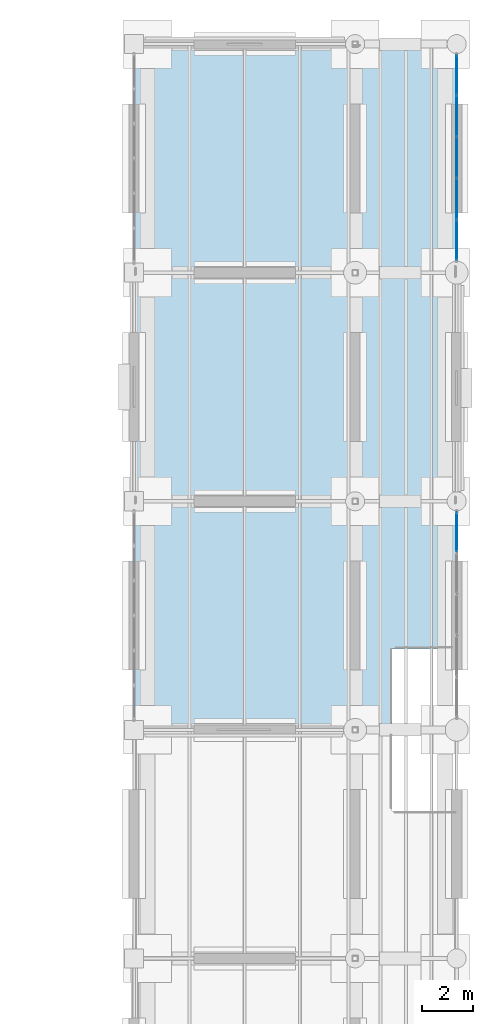
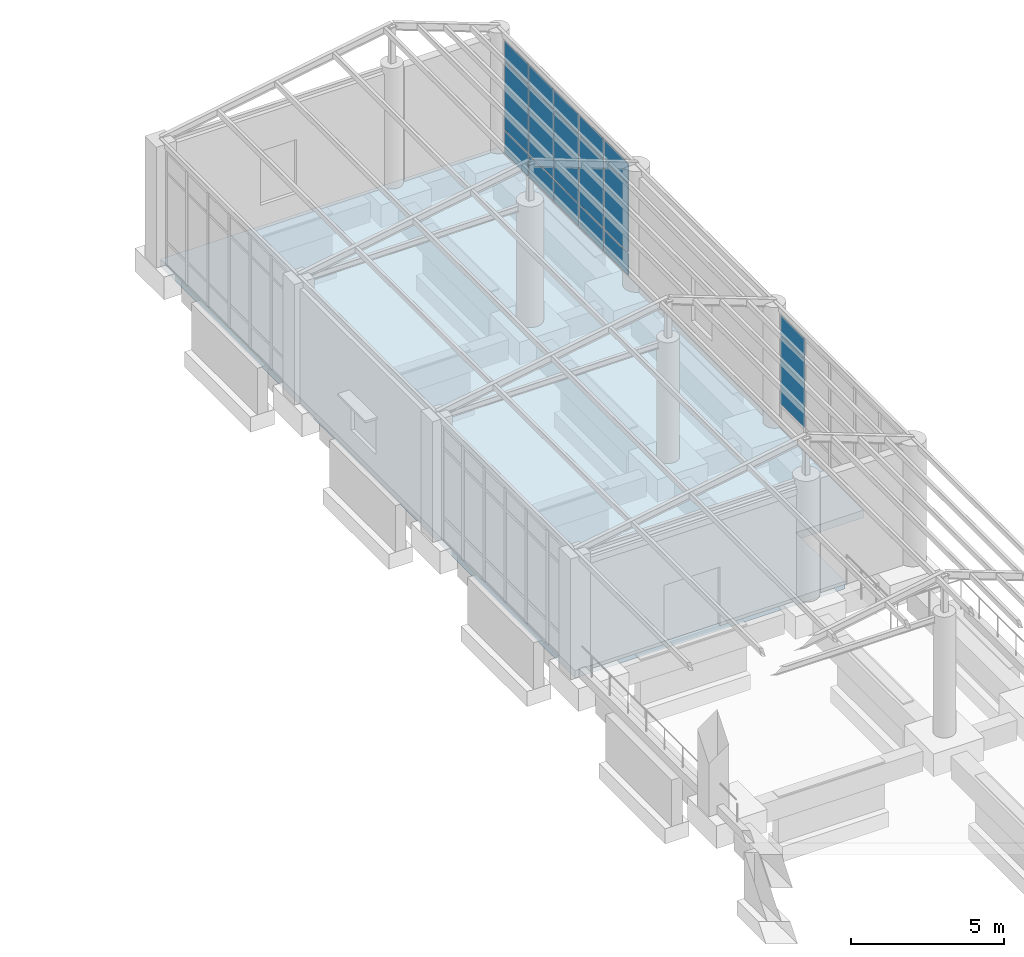
# One storey, part 80 of 111: 17 plates, 1 slab, 2 elements without a shape of their own.
"""IFC4 building model written with IfcOpenShell, lengths in metres."""

from ifc_helpers import new_model, si_unit, direction, frame, origin, origin_2d, place, context, subcontext, project, spatial, polyline, rectangle, outline, extrude, material, layer, layer_set, type_object, element, aggregate, save


model = new_model("IFC4")

# Units and contexts
model_context = context("Model", 3, precision=1e-05, world=origin(), true_north=direction((0.0, 1.0)))
body_context = subcontext(model_context, "Body", "Model", "MODEL_VIEW")
ifc_project = project(units=[si_unit("LENGTHUNIT", "METRE"), si_unit("AREAUNIT", "SQUARE_METRE"), si_unit("VOLUMEUNIT", "CUBIC_METRE"), si_unit("PLANEANGLEUNIT", "RADIAN"), si_unit("MASSUNIT", "GRAM", prefix="KILO")], contexts=[model_context])

# Site, building, storey
site_placement = place(None, origin())
site = spatial("IfcSite", under=ifc_project, at=site_placement, CompositionType="ELEMENT")
building_placement = place(site_placement, origin())
building = spatial("IfcBuilding", under=site, at=building_placement, Name="Canglan Escarpment Cableway Terminal", CompositionType="ELEMENT")
storey_placement = place(building_placement, frame((0.0, 0.0, 4.800048828125)))
storey = spatial("IfcBuildingStorey", under=building, at=storey_placement, Name="L01", CompositionType="ELEMENT", Elevation=4.800048828125)

# Curtain wall, plates
ifc_material_1 = material(Name="Anodized bronze aluminium and Low-E double glazing", Category="aluminium")
curtain_wall_type = type_object("IfcCurtainWallType", Name="CW-BAY-8175x4550", PredefinedType="NOTDEFINED", material=ifc_material_1)
curtain_wall_1_placement = place(storey_placement, origin())
curtain_wall_1 = element("IfcCurtainWall", 1, at=curtain_wall_1_placement, inside=storey, type_object=curtain_wall_type, Name="Classical bay-between-piers glazed curtain wall CW-41", PredefinedType="NOTDEFINED")
ifc_material_2 = material(Name="Double-silver Low-E laminated insulating glass", Category="glass")
ifc_layer_1 = layer(ifc_material_2, 0.028076171875, Name="Double-silver Low-E laminated insulating glass")
ifc_layer_set_1 = layer_set([ifc_layer_1], Name="Double-silver Low-E laminated insulating glass")
plate_type_1 = type_object("IfcPlateType", Name="CWP-02", PredefinedType="CURTAIN_PANEL", material=ifc_layer_set_1)
plate_1_placement = place(storey_placement, frame((180.0, 116.282470703125, 0.05517578125), z_axis=(0.0, 0.0, 1.0), x_axis=(0.0, 1.0, 0.0)))
plate_1 = element("IfcPlate", 2, at=plate_1_placement, type_object=plate_type_1, Name="CW-41 panel 1.1", PredefinedType="CURTAIN_PANEL", context=body_context, shape_type="SweptSolid", body=[
    extrude(rectangle(XDim=1.544921875, YDim=0.028076171875, at=origin_2d()), origin(), (0.0, 0.0, 1.0), 0.867431640625),
])
plate_2_placement = place(storey_placement, frame((180.0, 116.282470703125, 0.9775390625), z_axis=(0.0, 0.0, 1.0), x_axis=(0.0, 1.0, 0.0)))
plate_2 = element("IfcPlate", 3, at=plate_2_placement, type_object=plate_type_1, Name="CW-41 panel 1.2", PredefinedType="CURTAIN_PANEL", context=body_context, shape_type="SweptSolid", body=[
    extrude(rectangle(XDim=1.544921875, YDim=0.028076171875, at=origin_2d()), origin(), (0.0, 0.0, 1.0), 2.695068359375),
])
plate_3_placement = place(storey_placement, frame((180.0, 116.282470703125, 3.727294921875), z_axis=(0.0, 0.0, 1.0), x_axis=(0.0, 1.0, 0.0)))
plate_3 = element("IfcPlate", 4, at=plate_3_placement, type_object=plate_type_1, Name="CW-41 panel 1.3", PredefinedType="CURTAIN_PANEL", context=body_context, shape_type="SweptSolid", body=[
    extrude(rectangle(XDim=1.544921875, YDim=0.028076171875, at=origin_2d()), origin(), (0.0, 0.0, 1.0), 0.767578125),
])
plate_4_placement = place(storey_placement, frame((180.0, 117.902587890625, 0.05517578125), z_axis=(0.0, 0.0, 1.0), x_axis=(0.0, 1.0, 0.0)))
plate_4 = element("IfcPlate", 5, at=plate_4_placement, type_object=plate_type_1, Name="CW-41 panel 2.1", PredefinedType="CURTAIN_PANEL", context=body_context, shape_type="SweptSolid", body=[
    extrude(rectangle(XDim=1.574951171875, YDim=0.028076171875, at=origin_2d()), origin(), (0.0, 0.0, 1.0), 0.867431640625),
])
plate_5_placement = place(storey_placement, frame((180.0, 117.902587890625, 0.9775390625), z_axis=(0.0, 0.0, 1.0), x_axis=(0.0, 1.0, 0.0)))
plate_5 = element("IfcPlate", 6, at=plate_5_placement, type_object=plate_type_1, Name="CW-41 panel 2.2", PredefinedType="CURTAIN_PANEL", context=body_context, shape_type="SweptSolid", body=[
    extrude(rectangle(XDim=1.574951171875, YDim=0.028076171875, at=origin_2d()), origin(), (0.0, 0.0, 1.0), 2.695068359375),
])
plate_6_placement = place(storey_placement, frame((180.0, 117.902587890625, 3.727294921875), z_axis=(0.0, 0.0, 1.0), x_axis=(0.0, 1.0, 0.0)))
plate_6 = element("IfcPlate", 7, at=plate_6_placement, type_object=plate_type_1, Name="CW-41 panel 2.3", PredefinedType="CURTAIN_PANEL", context=body_context, shape_type="SweptSolid", body=[
    extrude(rectangle(XDim=1.574951171875, YDim=0.028076171875, at=origin_2d()), origin(), (0.0, 0.0, 1.0), 0.767578125),
])
plate_7_placement = place(storey_placement, frame((180.0, 119.53759765625, 0.05517578125), z_axis=(0.0, 0.0, 1.0), x_axis=(0.0, 1.0, 0.0)))
plate_7 = element("IfcPlate", 8, at=plate_7_placement, type_object=plate_type_1, Name="CW-41 panel 3.1", PredefinedType="CURTAIN_PANEL", context=body_context, shape_type="SweptSolid", body=[
    extrude(rectangle(XDim=1.574951171875, YDim=0.028076171875, at=origin_2d()), origin(), (0.0, 0.0, 1.0), 0.867431640625),
])
plate_8_placement = place(storey_placement, frame((180.0, 119.53759765625, 0.9775390625), z_axis=(0.0, 0.0, 1.0), x_axis=(0.0, 1.0, 0.0)))
plate_8 = element("IfcPlate", 9, at=plate_8_placement, type_object=plate_type_1, Name="CW-41 panel 3.2", PredefinedType="CURTAIN_PANEL", context=body_context, shape_type="SweptSolid", body=[
    extrude(rectangle(XDim=1.574951171875, YDim=0.028076171875, at=origin_2d()), origin(), (0.0, 0.0, 1.0), 2.695068359375),
])
plate_9_placement = place(storey_placement, frame((180.0, 119.53759765625, 3.727294921875), z_axis=(0.0, 0.0, 1.0), x_axis=(0.0, 1.0, 0.0)))
plate_9 = element("IfcPlate", 10, at=plate_9_placement, type_object=plate_type_1, Name="CW-41 panel 3.3", PredefinedType="CURTAIN_PANEL", context=body_context, shape_type="SweptSolid", body=[
    extrude(rectangle(XDim=1.574951171875, YDim=0.028076171875, at=origin_2d()), origin(), (0.0, 0.0, 1.0), 0.767578125),
])
plate_10_placement = place(storey_placement, frame((180.0, 121.172607421875, 0.05517578125), z_axis=(0.0, 0.0, 1.0), x_axis=(0.0, 1.0, 0.0)))
plate_10 = element("IfcPlate", 11, at=plate_10_placement, type_object=plate_type_1, Name="CW-41 panel 4.1", PredefinedType="CURTAIN_PANEL", context=body_context, shape_type="SweptSolid", body=[
    extrude(rectangle(XDim=1.574951171875, YDim=0.028076171875, at=origin_2d()), origin(), (0.0, 0.0, 1.0), 0.867431640625),
])
plate_11_placement = place(storey_placement, frame((180.0, 121.172607421875, 0.9775390625), z_axis=(0.0, 0.0, 1.0), x_axis=(0.0, 1.0, 0.0)))
plate_11 = element("IfcPlate", 12, at=plate_11_placement, type_object=plate_type_1, Name="CW-41 panel 4.2", PredefinedType="CURTAIN_PANEL", context=body_context, shape_type="SweptSolid", body=[
    extrude(rectangle(XDim=1.574951171875, YDim=0.028076171875, at=origin_2d()), origin(), (0.0, 0.0, 1.0), 2.695068359375),
])
plate_12_placement = place(storey_placement, frame((180.0, 121.172607421875, 3.727294921875), z_axis=(0.0, 0.0, 1.0), x_axis=(0.0, 1.0, 0.0)))
plate_12 = element("IfcPlate", 13, at=plate_12_placement, type_object=plate_type_1, Name="CW-41 panel 4.3", PredefinedType="CURTAIN_PANEL", context=body_context, shape_type="SweptSolid", body=[
    extrude(rectangle(XDim=1.574951171875, YDim=0.028076171875, at=origin_2d()), origin(), (0.0, 0.0, 1.0), 0.767578125),
])
plate_13_placement = place(storey_placement, frame((180.0, 122.79248046875, 0.05517578125), z_axis=(0.0, 0.0, 1.0), x_axis=(0.0, 1.0, 0.0)))
plate_13 = element("IfcPlate", 14, at=plate_13_placement, type_object=plate_type_1, Name="CW-41 panel 5.1", PredefinedType="CURTAIN_PANEL", context=body_context, shape_type="SweptSolid", body=[
    extrude(rectangle(XDim=1.544921875, YDim=0.028076171875, at=origin_2d()), origin(), (0.0, 0.0, 1.0), 0.867431640625),
])
plate_14_placement = place(storey_placement, frame((180.0, 122.79248046875, 0.9775390625), z_axis=(0.0, 0.0, 1.0), x_axis=(0.0, 1.0, 0.0)))
plate_14 = element("IfcPlate", 15, at=plate_14_placement, type_object=plate_type_1, Name="CW-41 panel 5.2", PredefinedType="CURTAIN_PANEL", context=body_context, shape_type="SweptSolid", body=[
    extrude(rectangle(XDim=1.544921875, YDim=0.028076171875, at=origin_2d()), origin(), (0.0, 0.0, 1.0), 2.695068359375),
])
plate_15_placement = place(storey_placement, frame((180.0, 122.79248046875, 3.727294921875), z_axis=(0.0, 0.0, 1.0), x_axis=(0.0, 1.0, 0.0)))
plate_15 = element("IfcPlate", 16, at=plate_15_placement, type_object=plate_type_1, Name="CW-41 panel 5.3", PredefinedType="CURTAIN_PANEL", context=body_context, shape_type="SweptSolid", body=[
    extrude(rectangle(XDim=1.544921875, YDim=0.028076171875, at=origin_2d()), origin(), (0.0, 0.0, 1.0), 0.767578125),
])
aggregate(curtain_wall_1, [plate_1, plate_2, plate_3, plate_4, plate_5, plate_6, plate_7, plate_8, plate_9, plate_10, plate_11, plate_12, plate_13, plate_14, plate_15])

curtain_wall_2_placement = place(storey_placement, origin())
curtain_wall_2 = element("IfcCurtainWall", 17, at=curtain_wall_2_placement, inside=storey, type_object=curtain_wall_type, Name="Classical bay-between-piers glazed curtain wall CW-41", PredefinedType="NOTDEFINED")
ifc_layer_2 = layer(ifc_material_2, 0.035888671875, Name="Double-silver Low-E laminated insulating glass")
ifc_layer_set_2 = layer_set([ifc_layer_2], Name="Double-silver Low-E laminated insulating glass")
plate_type_2 = type_object("IfcPlateType", Name="CWP-04", PredefinedType="CURTAIN_PANEL", material=ifc_layer_set_2)
plate_16_placement = place(storey_placement, frame((180.0, 104.791259765625, 0.97998046875), z_axis=(0.0, 0.0, 1.0), x_axis=(0.0, 1.0, 0.0)))
plate_16 = element("IfcPlate", 18, at=plate_16_placement, type_object=plate_type_2, Name="CW-41 panel 5.2", PredefinedType="CURTAIN_PANEL", context=body_context, shape_type="SweptSolid", body=[
    extrude(rectangle(XDim=1.53759765625, YDim=0.035888671875, at=origin_2d()), origin(), (0.0, 0.0, 1.0), 2.68994140625),
])
plate_17_placement = place(storey_placement, frame((180.0, 104.791259765625, 3.72998046875), z_axis=(0.0, 0.0, 1.0), x_axis=(0.0, 1.0, 0.0)))
plate_17 = element("IfcPlate", 19, at=plate_17_placement, type_object=plate_type_2, Name="CW-41 panel 5.3", PredefinedType="CURTAIN_PANEL", context=body_context, shape_type="SweptSolid", body=[
    extrude(rectangle(XDim=1.53759765625, YDim=0.035888671875, at=origin_2d()), origin(), (0.0, 0.0, 1.0), 0.760009765625),
])
aggregate(curtain_wall_2, [plate_16, plate_17])

# Slab
ifc_material_3 = material(Name="Concrete C40", Category="concrete")
ifc_layer_3 = layer(ifc_material_3, 0.300048828125, Name="Concrete C40")
ifc_layer_set_3 = layer_set([ifc_layer_3], Name="Concrete C40")
slab_type = type_object("IfcSlabType", Name="SLB-BASE-300", PredefinedType="BASESLAB", material=ifc_layer_set_3)
slab_placement = place(storey_placement, frame((0.0, 0.0, -0.300048828125)))
element("IfcSlab", 20, at=slab_placement, inside=storey, type_object=slab_type, Name="Reinforced concrete base slab SB-01", PredefinedType="BASESLAB", context=body_context, shape_type="SweptSolid", body=[
    extrude(outline(polyline([(167.300048828125, 97.0), (177.4599609375, 97.0), (177.4599609375, 100.199951171875), (180.0, 100.199951171875), (180.0, 124.0), (167.300048828125, 124.0), (167.300048828125, 97.0)])), origin(), (0.0, 0.0, 1.0), 0.300048828125),
])

save(model, "model.ifc")
